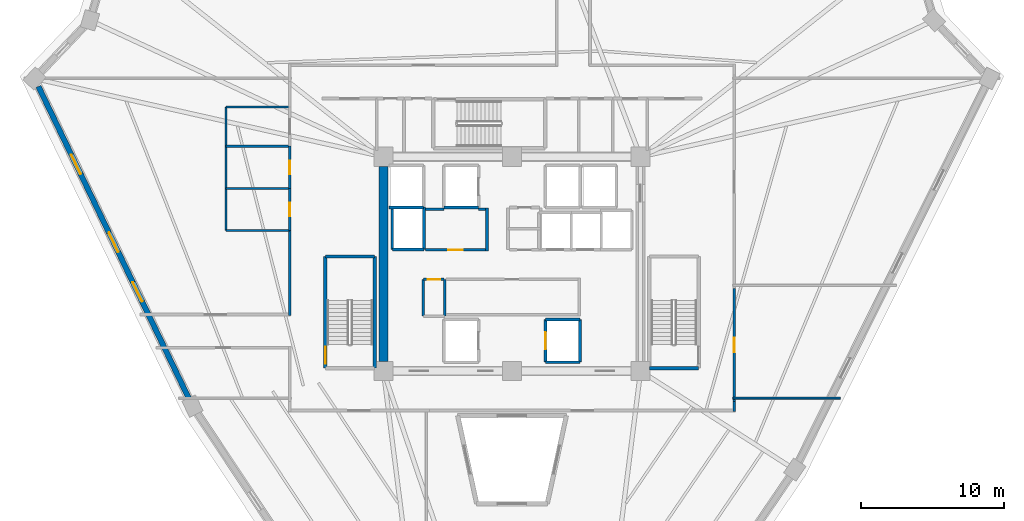
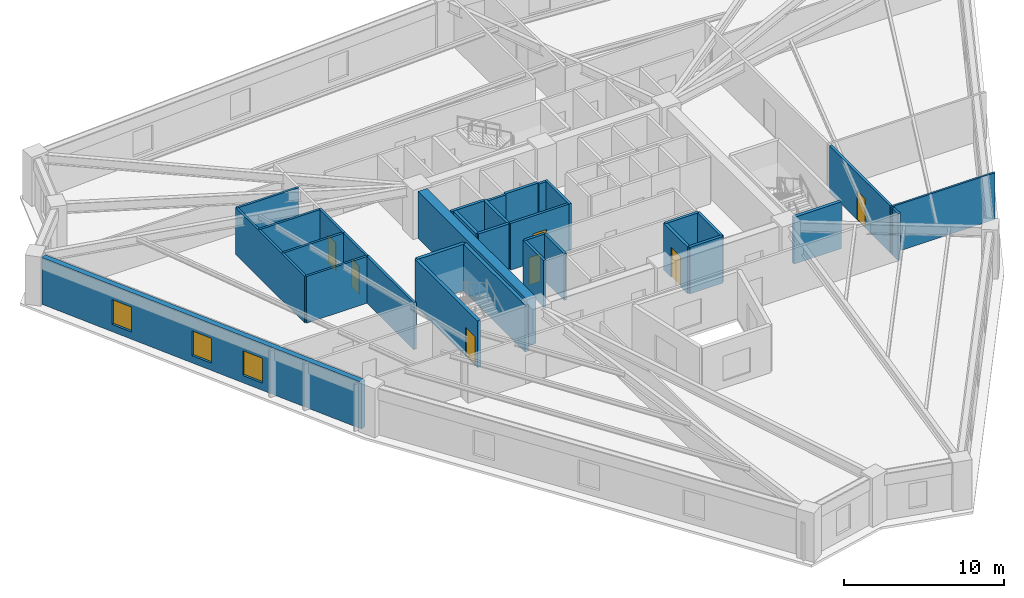
# One storey, part 4 of 8: 33 walls, 7 doors, 3 windows, 10 openings.
"""IFC4 building model written with IfcOpenShell, lengths in metres."""

from ifc_helpers import new_model, si_unit, direction, frame, frame_2d, origin, place, context, subcontext, project, spatial, rectangle, extrude, source, transform, mapped, material, layer, layer_set, type_object, element, fill, save


model = new_model("IFC4")

# Units and contexts
model_context = context("Model", 3, precision=1e-05, world=origin(), true_north=direction((0.0, 1.0)))
body_context = subcontext(model_context, "Body", "Model", "MODEL_VIEW")
ifc_project = project(units=[si_unit("LENGTHUNIT", "METRE"), si_unit("AREAUNIT", "SQUARE_METRE"), si_unit("VOLUMEUNIT", "CUBIC_METRE"), si_unit("PLANEANGLEUNIT", "RADIAN"), si_unit("MASSUNIT", "GRAM", prefix="KILO")], contexts=[model_context])

# Site, building, storey
site_placement = place(None, origin())
site = spatial("IfcSite", under=ifc_project, at=site_placement, CompositionType="ELEMENT")
building_placement = place(site_placement, origin())
building = spatial("IfcBuilding", under=site, at=building_placement, Name="Liaohun Quay Tower", CompositionType="ELEMENT")
storey_placement = place(building_placement, frame((0.0, 0.0, 213.0)))
storey = spatial("IfcBuildingStorey", under=building, at=storey_placement, Name="L55", CompositionType="ELEMENT", Elevation=213.0)

# Wall
ifc_material_1 = material(Name="Concrete C55", Category="concrete")
ifc_layer_1 = layer(ifc_material_1, 0.64990234375, Name="Concrete C55", Category="concrete")
ifc_layer_set_1 = layer_set([ifc_layer_1], Name="Concrete C55")
wall_type_1 = type_object("IfcWallType", Name="WAL-COR-Z3", PredefinedType="SHEAR", material=ifc_layer_set_1)
wall_1_placement = place(storey_placement, frame((51.0, 47.175048828125, 0.0), z_axis=(0.0, 0.0, 1.0), x_axis=(0.0, 1.0, 0.0)))
element("IfcWall", 1, at=wall_1_placement, inside=storey, type_object=wall_type_1, Name="L55 Central Core Shear Wall W", PredefinedType="SHEAR", context=body_context, shape_type="SweptSolid", body=[
    extrude(rectangle(XDim=13.64990234375, YDim=0.64990234375, at=frame_2d((6.824951171875, 0.0))), origin(), (0.0, 0.0, 1.0), 3.570068359375),
])

# Wall, openings, windows
ifc_material_2 = material(Name="Precast concrete C50 insulated sandwich", Category="concrete")
ifc_layer_2 = layer(ifc_material_2, 0.3798828125, Name="Precast concrete C50 insulated sandwich", Category="concrete")
ifc_layer_set_2 = layer_set([ifc_layer_2], Name="Precast concrete C50 insulated sandwich")
wall_type_2 = type_object("IfcWallType", Name="WAL-EXT-Z34", PredefinedType="SOLIDWALL", material=ifc_layer_set_2)
wall_2_placement = place(storey_placement, frame((26.847900390625, 66.426025390625, 0.0), z_axis=(0.0, 0.0, 1.0), x_axis=(0.434351028037, -0.900743684099, 0.0)))
wall_2 = element("IfcWall", 2, at=wall_2_placement, inside=storey, type_object=wall_type_2, Name="L55 Brutalist Precast Pier Wall 10", PredefinedType="SOLIDWALL", context=body_context, shape_type="SweptSolid", body=[
    extrude(rectangle(XDim=24.222412109375, YDim=0.3798828125, at=frame_2d((12.111328125, 0.0))), origin(), (0.0, 0.0, 1.0), 3.570068359375),
])
shared_shape_1 = source(origin(), body_context, "Body", "SweptSolid", [
    extrude(rectangle(XDim=1.5, YDim=1.89990234375, at=frame_2d((0.75, 0.949951171875))), frame((0.0, 0.199951171875, 0.0), z_axis=(0.0, -1.0, 0.0), x_axis=(1.0, 0.0, 0.0)), (0.0, 0.0, 1.0), 0.39990234375),
])
opening_1_placement = place(wall_2_placement, frame((5.305908203125, 0.0, 0.550048828125)))
opening_1 = element("IfcOpeningElement", 3, at=opening_1_placement, cuts=wall_2, Name="Opening W03", PredefinedType="OPENING", context=body_context, shape_type="MappedRepresentation", body=[
    mapped(shared_shape_1, transform((0.0, 0.0, 0.0), x_axis=(1.0, 0.0, 0.0), y_axis=(0.0, 1.0, 0.0), z_axis=(0.0, 0.0, 1.0), scale=1.0)),
])
opening_2_placement = place(wall_2_placement, frame((11.361083984375, 0.0, 0.550048828125)))
opening_2 = element("IfcOpeningElement", 4, at=opening_2_placement, cuts=wall_2, Name="Opening W03", PredefinedType="OPENING", context=body_context, shape_type="MappedRepresentation", body=[
    mapped(shared_shape_1, transform((0.0, 0.0, 0.0), x_axis=(1.0, 0.0, 0.0), y_axis=(0.0, 1.0, 0.0), z_axis=(0.0, 0.0, 1.0), scale=1.0)),
])
opening_3_placement = place(wall_2_placement, frame((15.217041015625, 0.0, 0.550048828125)))
opening_3 = element("IfcOpeningElement", 5, at=opening_3_placement, cuts=wall_2, Name="Opening W03", PredefinedType="OPENING", context=body_context, shape_type="MappedRepresentation", body=[
    mapped(shared_shape_1, transform((0.0, 0.0, 0.0), x_axis=(1.0, 0.0, 0.0), y_axis=(0.0, 1.0, 0.0), z_axis=(0.0, 0.0, 1.0), scale=1.0)),
])
ifc_material_3 = material(Name="Triple Low-E argon glazing in thermally broken aluminium", Category="aluminium")
window_type = type_object("IfcWindowType", Name="WIN-PUN-Z3", PartitioningType="DOUBLE_PANEL_VERTICAL", PredefinedType="WINDOW", material=ifc_material_3)
shared_shape_2 = source(origin(), body_context, "Body", "SweptSolid", [
    extrude(rectangle(XDim=1.5, YDim=1.89990234375, at=frame_2d((0.75, 0.949951171875))), frame((0.0, 0.030029296875, 0.0), z_axis=(0.0, -1.0, 0.0), x_axis=(1.0, 0.0, 0.0)), (0.0, 0.0, 1.0), 0.06005859375),
])
window_1_placement = place(opening_1_placement, origin())
window_1 = element("IfcWindow", 6, at=window_1_placement, inside=storey, type_object=window_type, Name="L55 Recessed Cold-Climate Punched Window 10-1", OverallHeight=1.89990234375, OverallWidth=1.5, PartitioningType="DOUBLE_PANEL_VERTICAL", PredefinedType="WINDOW", context=body_context, shape_type="MappedRepresentation", body=[
    mapped(shared_shape_2, transform((0.0, 0.0, 0.0), x_axis=(1.0, 0.0, 0.0), y_axis=(0.0, 1.0, 0.0), z_axis=(0.0, 0.0, 1.0), scale=1.0)),
])
fill(opening_1, window_1)
window_2_placement = place(opening_2_placement, origin())
window_2 = element("IfcWindow", 7, at=window_2_placement, inside=storey, type_object=window_type, Name="L55 Recessed Cold-Climate Punched Window 10-2", OverallHeight=1.89990234375, OverallWidth=1.5, PartitioningType="DOUBLE_PANEL_VERTICAL", PredefinedType="WINDOW", context=body_context, shape_type="MappedRepresentation", body=[
    mapped(shared_shape_2, transform((0.0, 0.0, 0.0), x_axis=(1.0, 0.0, 0.0), y_axis=(0.0, 1.0, 0.0), z_axis=(0.0, 0.0, 1.0), scale=1.0)),
])
fill(opening_2, window_2)
window_3_placement = place(opening_3_placement, origin())
window_3 = element("IfcWindow", 8, at=window_3_placement, inside=storey, type_object=window_type, Name="L55 Recessed Cold-Climate Punched Window 10-3", OverallHeight=1.89990234375, OverallWidth=1.5, PartitioningType="DOUBLE_PANEL_VERTICAL", PredefinedType="WINDOW", context=body_context, shape_type="MappedRepresentation", body=[
    mapped(shared_shape_2, transform((0.0, 0.0, 0.0), x_axis=(1.0, 0.0, 0.0), y_axis=(0.0, 1.0, 0.0), z_axis=(0.0, 0.0, 1.0), scale=1.0)),
])
fill(opening_3, window_3)

# Wall, opening, door
ifc_material_4 = material(Name="Autoclaved aerated concrete blockwork", Category="masonry")
ifc_layer_3 = layer(ifc_material_4, 0.179931640625, Name="Autoclaved aerated concrete blockwork", Category="masonry")
ifc_layer_set_3 = layer_set([ifc_layer_3], Name="Autoclaved aerated concrete blockwork")
wall_type_3 = type_object("IfcWallType", Name="WAL-PRT-COR", PredefinedType="PARTITIONING", material=ifc_layer_set_3)
wall_3_placement = place(storey_placement, frame((53.949951171875, 54.97998046875, 0.0), z_axis=(0.0, 0.0, 1.0), x_axis=(1.0, 0.0, 0.0)))
wall_3 = element("IfcWall", 9, at=wall_3_placement, inside=storey, type_object=wall_type_3, Name="L55 Interior Partition Wall 002", PredefinedType="PARTITIONING", context=body_context, shape_type="SweptSolid", body=[
    extrude(rectangle(XDim=4.2099609375, YDim=0.179931640625, at=frame_2d((2.10498046875, 0.0))), origin(), (0.0, 0.0, 1.0), 3.570068359375),
])
shared_shape_3 = source(origin(), body_context, "Body", "SweptSolid", [
    extrude(rectangle(XDim=1.0, YDim=2.199951171875, at=frame_2d((0.5, 1.10009765625))), frame((0.0, 0.099853515625, 0.0), z_axis=(0.0, -1.0, 0.0), x_axis=(1.0, 0.0, 0.0)), (0.0, 0.0, 1.0), 0.199951171875),
])
opening_4_placement = place(wall_3_placement, frame((1.60009765625, 0.0, 0.0)))
opening_4 = element("IfcOpeningElement", 10, at=opening_4_placement, cuts=wall_3, Name="Opening OD1", PredefinedType="OPENING", context=body_context, shape_type="MappedRepresentation", body=[
    mapped(shared_shape_3, transform((0.0, 0.0, 0.0), x_axis=(1.0, 0.0, 0.0), y_axis=(0.0, 1.0, 0.0), z_axis=(0.0, 0.0, 1.0), scale=1.0)),
])
ifc_material_5 = material(Name="Solid-core oak veneer timber leaf in steel frame", Category="steel")
door_type_1 = type_object("IfcDoorType", Name="DOR-OFF-1000", OperationType="NOTDEFINED", PredefinedType="DOOR", material=ifc_material_5)
shared_shape_4 = source(origin(), body_context, "Body", "SweptSolid", [
    extrude(rectangle(XDim=1.0, YDim=2.199951171875, at=frame_2d((0.5, 1.10009765625))), frame((0.0, 0.02490234375, 0.0), z_axis=(0.0, -1.0, 0.0), x_axis=(1.0, 0.0, 0.0)), (0.0, 0.0, 1.0), 0.050048828125),
])
door_1_placement = place(opening_4_placement, origin())
door_1 = element("IfcDoor", 11, at=door_1_placement, inside=storey, type_object=door_type_1, Name="L55 Core Staff Pantry and Tea Room Door", OperationType="SINGLE_SWING_LEFT", OverallHeight=2.199951171875, OverallWidth=1.0, PredefinedType="DOOR", context=body_context, shape_type="MappedRepresentation", body=[
    mapped(shared_shape_4, transform((0.0, 0.0, 0.0), x_axis=(1.0, 0.0, 0.0), y_axis=(0.0, 1.0, 0.0), z_axis=(0.0, 0.0, 1.0), scale=1.0)),
])
fill(opening_4, door_1)

wall_4_placement = place(storey_placement, frame((53.820068359375, 52.919921875, 0.0), z_axis=(0.0, 0.0, 1.0), x_axis=(1.0, 0.0, 0.0)))
wall_4 = element("IfcWall", 12, at=wall_4_placement, inside=storey, type_object=wall_type_3, Name="L55 Interior Partition Wall 005", PredefinedType="PARTITIONING", context=body_context, shape_type="SweptSolid", body=[
    extrude(rectangle(XDim=1.429931640625, YDim=0.179931640625, at=frame_2d((0.71484375, 0.0))), origin(), (0.0, 0.0, 1.0), 3.570068359375),
])
shared_shape_5 = source(origin(), body_context, "Body", "SweptSolid", [
    extrude(rectangle(XDim=0.85009765625, YDim=2.10009765625, at=frame_2d((0.425048828125, 1.050048828125))), frame((0.0, 0.099853515625, 0.0), z_axis=(0.0, -1.0, 0.0), x_axis=(1.0, 0.0, 0.0)), (0.0, 0.0, 1.0), 0.199951171875),
])
opening_5_placement = place(wall_4_placement, frame((0.2900390625, 0.0, 0.0)))
opening_5 = element("IfcOpeningElement", 13, at=opening_5_placement, cuts=wall_4, Name="Opening AD1", PredefinedType="OPENING", context=body_context, shape_type="MappedRepresentation", body=[
    mapped(shared_shape_5, transform((0.0, 0.0, 0.0), x_axis=(1.0, 0.0, 0.0), y_axis=(0.0, 1.0, 0.0), z_axis=(0.0, 0.0, 1.0), scale=1.0)),
])
ifc_material_6 = material(Name="Steel riser inspection fire door", Category="steel")
door_type_2 = type_object("IfcDoorType", Name="DOR-SHF-850", OperationType="NOTDEFINED", PredefinedType="DOOR", material=ifc_material_6)
shared_shape_6 = source(origin(), body_context, "Body", "SweptSolid", [
    extrude(rectangle(XDim=0.85009765625, YDim=2.10009765625, at=frame_2d((0.425048828125, 1.050048828125))), frame((0.0, 0.02490234375, 0.0), z_axis=(0.0, -1.0, 0.0), x_axis=(1.0, 0.0, 0.0)), (0.0, 0.0, 1.0), 0.050048828125),
])
door_2_placement = place(opening_5_placement, origin())
door_2 = element("IfcDoor", 14, at=door_2_placement, inside=storey, type_object=door_type_2, Name="L55 Core Fire Hose and Riser Closet Door", OperationType="SINGLE_SWING_RIGHT", OverallHeight=2.10009765625, OverallWidth=0.85009765625, PredefinedType="DOOR", context=body_context, shape_type="MappedRepresentation", body=[
    mapped(shared_shape_6, transform((0.0, 0.0, 0.0), x_axis=(1.0, 0.0, 0.0), y_axis=(0.0, 1.0, 0.0), z_axis=(0.0, 0.0, 1.0), scale=1.0)),
])
fill(opening_5, door_2)

wall_5_placement = place(storey_placement, frame((75.56005859375, 52.284912109375, 0.0), z_axis=(0.0, 0.0, 1.0), x_axis=(0.0, -1.0, 0.0)))
wall_5 = element("IfcWall", 15, at=wall_5_placement, inside=storey, type_object=wall_type_3, Name="L55 Interior Partition Wall 023", PredefinedType="PARTITIONING", context=body_context, shape_type="SweptSolid", body=[
    extrude(rectangle(XDim=7.89990234375, YDim=0.179931640625, at=frame_2d((3.949951171875, 0.0))), origin(), (0.0, 0.0, 1.0), 3.570068359375),
])
opening_6_placement = place(wall_5_placement, frame((3.449951171875, 0.0, 0.0)))
opening_6 = element("IfcOpeningElement", 16, at=opening_6_placement, cuts=wall_5, Name="Opening OD1", PredefinedType="OPENING", context=body_context, shape_type="MappedRepresentation", body=[
    mapped(shared_shape_3, transform((0.0, 0.0, 0.0), x_axis=(1.0, 0.0, 0.0), y_axis=(0.0, 1.0, 0.0), z_axis=(0.0, 0.0, 1.0), scale=1.0)),
])
door_3_placement = place(opening_6_placement, origin())
door_3 = element("IfcDoor", 17, at=door_3_placement, inside=storey, type_object=door_type_1, Name="L55 Client Collaboration Lounge 08 Door", OperationType="SINGLE_SWING_RIGHT", OverallHeight=2.199951171875, OverallWidth=1.0, PredefinedType="DOOR", context=body_context, shape_type="MappedRepresentation", body=[
    mapped(shared_shape_4, transform((0.0, 0.0, 0.0), x_axis=(1.0, 0.0, 0.0), y_axis=(0.0, 1.0, 0.0), z_axis=(0.0, 0.0, 1.0), scale=1.0)),
])
fill(opening_6, door_3)

# Walls
for number, where, z_axis, x_axis, name in (
    (18, (53.7900390625, 50.35009765625, 0.0), (0.0, 0.0, 1.0), (0.0, 1.0, 0.0), "L55 Interior Partition Wall 027"),
    (19, (55.280029296875, 50.35009765625, 0.0), (0.0, 0.0, 1.0), (0.0, 1.0, 0.0), "L55 Interior Partition Wall 029"),
):
    element("IfcWall", number, at=place(storey_placement, frame(where, z_axis=z_axis, x_axis=x_axis)), inside=storey, type_object=wall_type_3, Name=name, PredefinedType="PARTITIONING", context=body_context, shape_type="SweptSolid", body=[
        extrude(rectangle(XDim=2.56982421875, YDim=0.179931640625, at=frame_2d((1.284912109375, 0.0))), origin(), (0.0, 0.0, 1.0), 3.570068359375),
    ])
wall_6_placement = place(storey_placement, frame((44.43994140625, 50.389892578125, 0.0), z_axis=(0.0, 0.0, 1.0), x_axis=(0.0, 1.0, 0.0)))
element("IfcWall", 20, at=wall_6_placement, inside=storey, type_object=wall_type_3, Name="L55 Interior Partition Wall 044", PredefinedType="PARTITIONING", context=body_context, shape_type="SweptSolid", body=[
    extrude(rectangle(XDim=5.9501953125, YDim=0.179931640625, at=frame_2d((2.97509765625, 0.0))), origin(), (0.0, 0.0, 1.0), 3.570068359375),
])
wall_7_placement = place(storey_placement, frame((75.56005859375, 44.385009765625, 0.0), z_axis=(0.0, 0.0, 1.0), x_axis=(0.0, -1.0, 0.0)))
element("IfcWall", 21, at=wall_7_placement, inside=storey, type_object=wall_type_3, Name="L55 Interior Partition Wall 048", PredefinedType="PARTITIONING", context=body_context, shape_type="SweptSolid", body=[
    extrude(rectangle(XDim=0.715087890625, YDim=0.179931640625, at=frame_2d((0.357421875, 0.0))), origin(), (0.0, 0.0, 1.0), 3.570068359375),
])
wall_8_placement = place(storey_placement, frame((58.25, 54.889892578125, 0.0), z_axis=(0.0, 0.0, 1.0), x_axis=(0.0, 1.0, 0.0)))
element("IfcWall", 22, at=wall_8_placement, inside=storey, type_object=wall_type_3, Name="L55 Interior Partition Wall 057", PredefinedType="PARTITIONING", context=body_context, shape_type="SweptSolid", body=[
    extrude(rectangle(XDim=3.02001953125, YDim=0.179931640625, at=frame_2d((1.510009765625, 0.0))), origin(), (0.0, 0.0, 1.0), 3.570068359375),
])
wall_9_placement = place(storey_placement, frame((53.949951171875, 57.820068359375, 0.0), z_axis=(0.0, 0.0, 1.0), x_axis=(1.0, 0.0, 0.0)))
element("IfcWall", 23, at=wall_9_placement, inside=storey, type_object=wall_type_3, Name="L55 Interior Partition Wall 058", PredefinedType="PARTITIONING", context=body_context, shape_type="SweptSolid", body=[
    extrude(rectangle(XDim=1.300048828125, YDim=0.179931640625, at=frame_2d((0.64990234375, 0.0))), origin(), (0.0, 0.0, 1.0), 3.570068359375),
])
wall_10_placement = place(storey_placement, frame((57.64990234375, 57.820068359375, 0.0), z_axis=(0.0, 0.0, 1.0), x_axis=(1.0, 0.0, 0.0)))
element("IfcWall", 24, at=wall_10_placement, inside=storey, type_object=wall_type_3, Name="L55 Interior Partition Wall 059", PredefinedType="PARTITIONING", context=body_context, shape_type="SweptSolid", body=[
    extrude(rectangle(XDim=0.510009765625, YDim=0.179931640625, at=frame_2d((0.2548828125, 0.0))), origin(), (0.0, 0.0, 1.0), 3.570068359375),
])
ifc_material_7 = material(Name="Gypsum board on twin steel studs", Category="steel")
ifc_layer_4 = layer(ifc_material_7, 0.139892578125, Name="Gypsum board on twin steel studs", Category="steel")
ifc_layer_set_4 = layer_set([ifc_layer_4], Name="Gypsum board on twin steel studs")
wall_type_4 = type_object("IfcWallType", Name="WAL-PRT-OFF", PredefinedType="PARTITIONING", material=ifc_layer_set_4)
wall_11_placement = place(storey_placement, frame((75.4599609375, 44.60009765625, 0.0), z_axis=(0.0, 0.0, 1.0), x_axis=(1.0, 0.0, 0.0)))
element("IfcWall", 25, at=wall_11_placement, inside=storey, type_object=wall_type_4, Name="L55 Interior Partition Wall 051", PredefinedType="PARTITIONING", context=body_context, shape_type="SweptSolid", body=[
    extrude(rectangle(XDim=7.52294921875, YDim=0.139892578125, at=frame_2d((3.761474609375, 0.0))), origin(), (0.0, 0.0, 1.0), 3.570068359375),
])

# Wall, opening, door
ifc_material_8 = material(Name="Moisture-resistant masonry blockwork", Category="masonry")
ifc_layer_5 = layer(ifc_material_8, 0.159912109375, Name="Moisture-resistant masonry blockwork", Category="masonry")
ifc_layer_set_5 = layer_set([ifc_layer_5], Name="Moisture-resistant masonry blockwork")
wall_type_5 = type_object("IfcWallType", Name="WAL-PRT-WET", PredefinedType="PARTITIONING", material=ifc_layer_set_5)
wall_12_placement = place(storey_placement, frame((44.43994140625, 56.340087890625, 0.0), z_axis=(0.0, 0.0, 1.0), x_axis=(0.0, 1.0, 0.0)))
wall_12 = element("IfcWall", 26, at=wall_12_placement, inside=storey, type_object=wall_type_5, Name="L55 Interior Partition Wall 006", PredefinedType="PARTITIONING", context=body_context, shape_type="SweptSolid", body=[
    extrude(rectangle(XDim=2.93994140625, YDim=0.159912109375, at=frame_2d((1.469970703125, 0.0))), origin(), (0.0, 0.0, 1.0), 3.570068359375),
])
shared_shape_7 = source(origin(), body_context, "Body", "SweptSolid", [
    extrude(rectangle(XDim=0.949951171875, YDim=2.14990234375, at=frame_2d((0.47509765625, 1.074951171875))), frame((0.0, 0.08984375, 0.0), z_axis=(0.0, -1.0, 0.0), x_axis=(1.0, 0.0, 0.0)), (0.0, 0.0, 1.0), 0.179931640625),
])
opening_7_placement = place(wall_12_placement, frame((0.9951171875, 0.0, 0.0)))
opening_7 = element("IfcOpeningElement", 27, at=opening_7_placement, cuts=wall_12, Name="Opening WD1", PredefinedType="OPENING", context=body_context, shape_type="MappedRepresentation", body=[
    mapped(shared_shape_7, transform((0.0, 0.0, 0.0), x_axis=(1.0, 0.0, 0.0), y_axis=(0.0, 1.0, 0.0), z_axis=(0.0, 0.0, 1.0), scale=1.0)),
])
ifc_material_9 = material(Name="Moisture-resistant laminate timber leaf", Category="wood")
door_type_3 = type_object("IfcDoorType", Name="DOR-WC-950", OperationType="NOTDEFINED", PredefinedType="DOOR", material=ifc_material_9)
shared_shape_8 = source(origin(), body_context, "Body", "SweptSolid", [
    extrude(rectangle(XDim=0.949951171875, YDim=2.14990234375, at=frame_2d((0.47509765625, 1.074951171875))), frame((0.0, 0.02490234375, 0.0), z_axis=(0.0, -1.0, 0.0), x_axis=(1.0, 0.0, 0.0)), (0.0, 0.0, 1.0), 0.050048828125),
])
door_4_placement = place(opening_7_placement, origin())
door_4 = element("IfcDoor", 28, at=door_4_placement, inside=storey, type_object=door_type_3, Name="L55 Male Restroom WC Door", OperationType="SINGLE_SWING_LEFT", OverallHeight=2.14990234375, OverallWidth=0.949951171875, PredefinedType="DOOR", context=body_context, shape_type="MappedRepresentation", body=[
    mapped(shared_shape_8, transform((0.0, 0.0, 0.0), x_axis=(1.0, 0.0, 0.0), y_axis=(0.0, 1.0, 0.0), z_axis=(0.0, 0.0, 1.0), scale=1.0)),
])
fill(opening_7, door_4)

wall_13_placement = place(storey_placement, frame((44.43994140625, 59.280029296875, 0.0), z_axis=(0.0, 0.0, 1.0), x_axis=(0.0, 1.0, 0.0)))
wall_13 = element("IfcWall", 29, at=wall_13_placement, inside=storey, type_object=wall_type_5, Name="L55 Interior Partition Wall 007", PredefinedType="PARTITIONING", context=body_context, shape_type="SweptSolid", body=[
    extrude(rectangle(XDim=2.9599609375, YDim=0.159912109375, at=frame_2d((1.47998046875, 0.0))), origin(), (0.0, 0.0, 1.0), 3.570068359375),
])
opening_8_placement = place(wall_13_placement, frame((1.0048828125, 0.0, 0.0)))
opening_8 = element("IfcOpeningElement", 30, at=opening_8_placement, cuts=wall_13, Name="Opening WD1", PredefinedType="OPENING", context=body_context, shape_type="MappedRepresentation", body=[
    mapped(shared_shape_7, transform((0.0, 0.0, 0.0), x_axis=(1.0, 0.0, 0.0), y_axis=(0.0, 1.0, 0.0), z_axis=(0.0, 0.0, 1.0), scale=1.0)),
])
door_5_placement = place(opening_8_placement, origin())
door_5 = element("IfcDoor", 31, at=door_5_placement, inside=storey, type_object=door_type_3, Name="L55 Female Restroom WC Door", OperationType="SINGLE_SWING_RIGHT", OverallHeight=2.14990234375, OverallWidth=0.949951171875, PredefinedType="DOOR", context=body_context, shape_type="MappedRepresentation", body=[
    mapped(shared_shape_8, transform((0.0, 0.0, 0.0), x_axis=(1.0, 0.0, 0.0), y_axis=(0.0, 1.0, 0.0), z_axis=(0.0, 0.0, 1.0), scale=1.0)),
])
fill(opening_8, door_5)

# Walls
wall_14_placement = place(storey_placement, frame((39.97998046875, 56.340087890625, 0.0), z_axis=(0.0, 0.0, 1.0), x_axis=(0.0, 1.0, 0.0)))
element("IfcWall", 32, at=wall_14_placement, inside=storey, type_object=wall_type_5, Name="L55 Interior Partition Wall 030", PredefinedType="PARTITIONING", context=body_context, shape_type="SweptSolid", body=[
    extrude(rectangle(XDim=8.639892578125, YDim=0.159912109375, at=frame_2d((4.31982421875, 0.0))), origin(), (0.0, 0.0, 1.0), 3.570068359375),
])
for number, where, z_axis, x_axis, name in (
    (33, (39.97998046875, 56.340087890625, 0.0), (0.0, 0.0, 1.0), (1.0, 0.0, 0.0), "L55 Interior Partition Wall 031"),
    (34, (39.97998046875, 59.280029296875, 0.0), (0.0, 0.0, 1.0), (1.0, 0.0, 0.0), "L55 Interior Partition Wall 032"),
    (35, (39.97998046875, 62.239990234375, 0.0), (0.0, 0.0, 1.0), (1.0, 0.0, 0.0), "L55 Interior Partition Wall 033"),
    (36, (39.97998046875, 64.97998046875, 0.0), (0.0, 0.0, 1.0), (1.0, 0.0, 0.0), "L55 Interior Partition Wall 034"),
):
    element("IfcWall", number, at=place(storey_placement, frame(where, z_axis=z_axis, x_axis=x_axis)), inside=storey, type_object=wall_type_5, Name=name, PredefinedType="PARTITIONING", context=body_context, shape_type="SweptSolid", body=[
        extrude(rectangle(XDim=4.4599609375, YDim=0.159912109375, at=frame_2d((2.22998046875, 0.0))), origin(), (0.0, 0.0, 1.0), 3.570068359375),
    ])
ifc_material_10 = material(Name="Concrete C50", Category="concrete")
ifc_layer_6 = layer(ifc_material_10, 0.239990234375, Name="Concrete C50", Category="concrete")
ifc_layer_set_6 = layer_set([ifc_layer_6], Name="Concrete C50")
wall_type_6 = type_object("IfcWallType", Name="WAL-SHF-200", PredefinedType="SOLIDWALL", material=ifc_layer_set_6)
wall_15_placement = place(storey_placement, frame((50.3798828125, 46.699951171875, 0.0), z_axis=(0.0, 0.0, 1.0), x_axis=(0.0, 1.0, 0.0)))
element("IfcWall", 37, at=wall_15_placement, inside=storey, type_object=wall_type_6, Name="L55 Stairwell ST-1 Structural Core Wall E", PredefinedType="SOLIDWALL", context=body_context, shape_type="SweptSolid", body=[
    extrude(rectangle(XDim=7.820068359375, YDim=0.239990234375, at=frame_2d((3.91015625, 0.0))), origin(), (0.0, 0.0, 1.0), 3.570068359375),
])
wall_16_placement = place(storey_placement, frame((50.3798828125, 54.52001953125, 0.0), z_axis=(0.0, 0.0, 1.0), x_axis=(-1.0, 0.0, 0.0)))
element("IfcWall", 38, at=wall_16_placement, inside=storey, type_object=wall_type_6, Name="L55 Stairwell ST-1 Structural Core Wall N", PredefinedType="SOLIDWALL", context=body_context, shape_type="SweptSolid", body=[
    extrude(rectangle(XDim=3.43994140625, YDim=0.239990234375, at=frame_2d((1.719970703125, 0.0))), origin(), (0.0, 0.0, 1.0), 3.570068359375),
])

# Wall, opening, door
wall_17_placement = place(storey_placement, frame((46.93994140625, 54.52001953125, 0.0), z_axis=(0.0, 0.0, 1.0), x_axis=(0.0, -1.0, 0.0)))
wall_17 = element("IfcWall", 39, at=wall_17_placement, inside=storey, type_object=wall_type_6, Name="L55 Stairwell ST-1 Structural Core Wall W", PredefinedType="SOLIDWALL", context=body_context, shape_type="SweptSolid", body=[
    extrude(rectangle(XDim=7.820068359375, YDim=0.239990234375, at=frame_2d((3.91015625, 0.0))), origin(), (0.0, 0.0, 1.0), 3.570068359375),
])
shared_shape_9 = source(origin(), body_context, "Body", "SweptSolid", [
    extrude(rectangle(XDim=1.199951171875, YDim=2.199951171875, at=frame_2d((0.60009765625, 1.10009765625))), frame((0.0, 0.1298828125, 0.0), z_axis=(0.0, -1.0, 0.0), x_axis=(1.0, 0.0, 0.0)), (0.0, 0.0, 1.0), 0.260009765625),
])
opening_9_placement = place(wall_17_placement, frame((6.300048828125, 0.0, 0.0)))
opening_9 = element("IfcOpeningElement", 40, at=opening_9_placement, cuts=wall_17, Name="Opening SD1", PredefinedType="OPENING", context=body_context, shape_type="MappedRepresentation", body=[
    mapped(shared_shape_9, transform((0.0, 0.0, 0.0), x_axis=(1.0, 0.0, 0.0), y_axis=(0.0, 1.0, 0.0), z_axis=(0.0, 0.0, 1.0), scale=1.0)),
])
ifc_material_11 = material(Name="Galvanised steel fire door", Category="steel")
door_type_4 = type_object("IfcDoorType", Name="DOR-STR-1200", OperationType="NOTDEFINED", PredefinedType="DOOR", material=ifc_material_11)
shared_shape_10 = source(origin(), body_context, "Body", "SweptSolid", [
    extrude(rectangle(XDim=1.199951171875, YDim=2.199951171875, at=frame_2d((0.60009765625, 1.10009765625))), frame((0.0, 0.02490234375, 0.0), z_axis=(0.0, -1.0, 0.0), x_axis=(1.0, 0.0, 0.0)), (0.0, 0.0, 1.0), 0.050048828125),
])
door_6_placement = place(opening_9_placement, origin())
door_6 = element("IfcDoor", 41, at=door_6_placement, inside=storey, type_object=door_type_4, Name="L55 Protected Stair ST-1 Fire Door", OperationType="SINGLE_SWING_LEFT", OverallHeight=2.199951171875, OverallWidth=1.199951171875, PredefinedType="DOOR", context=body_context, shape_type="MappedRepresentation", body=[
    mapped(shared_shape_10, transform((0.0, 0.0, 0.0), x_axis=(1.0, 0.0, 0.0), y_axis=(0.0, 1.0, 0.0), z_axis=(0.0, 0.0, 1.0), scale=1.0)),
])
fill(opening_9, door_6)

# Walls
wall_18_placement = place(storey_placement, frame((69.6201171875, 46.699951171875, 0.0), z_axis=(0.0, 0.0, 1.0), x_axis=(1.0, 0.0, 0.0)))
element("IfcWall", 42, at=wall_18_placement, inside=storey, type_object=wall_type_6, Name="L55 Stairwell ST-2 Structural Core Wall S", PredefinedType="SOLIDWALL", context=body_context, shape_type="SweptSolid", body=[
    extrude(rectangle(XDim=3.43994140625, YDim=0.239990234375, at=frame_2d((1.719970703125, 0.0))), origin(), (0.0, 0.0, 1.0), 3.570068359375),
])
wall_19_placement = place(storey_placement, frame((62.35009765625, 47.1201171875, 0.0), z_axis=(0.0, 0.0, 1.0), x_axis=(1.0, 0.0, 0.0)))
element("IfcWall", 43, at=wall_19_placement, inside=storey, type_object=wall_type_6, Name="L55 Lift FF-02 Hoistway Wall S", PredefinedType="SOLIDWALL", context=body_context, shape_type="SweptSolid", body=[
    extrude(rectangle(XDim=2.39990234375, YDim=0.199951171875, at=frame_2d((1.199951171875, 0.0))), origin(), (0.0, 0.0, 1.0), 3.570068359375),
])
wall_20_placement = place(storey_placement, frame((64.75, 47.1201171875, 0.0), z_axis=(0.0, 0.0, 1.0), x_axis=(0.0, 1.0, 0.0)))
element("IfcWall", 44, at=wall_20_placement, inside=storey, type_object=wall_type_6, Name="L55 Lift FF-02 Hoistway Wall E", PredefinedType="SOLIDWALL", context=body_context, shape_type="SweptSolid", body=[
    extrude(rectangle(XDim=3.0, YDim=0.199951171875, at=frame_2d((1.5, 0.0))), origin(), (0.0, 0.0, 1.0), 3.570068359375),
])
wall_21_placement = place(storey_placement, frame((64.75, 50.1201171875, 0.0), z_axis=(0.0, 0.0, 1.0), x_axis=(-1.0, 0.0, 0.0)))
element("IfcWall", 45, at=wall_21_placement, inside=storey, type_object=wall_type_6, Name="L55 Lift FF-02 Hoistway Wall N", PredefinedType="SOLIDWALL", context=body_context, shape_type="SweptSolid", body=[
    extrude(rectangle(XDim=2.39990234375, YDim=0.199951171875, at=frame_2d((1.199951171875, 0.0))), origin(), (0.0, 0.0, 1.0), 3.570068359375),
])

# Wall, opening, door
wall_22_placement = place(storey_placement, frame((62.35009765625, 50.1201171875, 0.0), z_axis=(0.0, 0.0, 1.0), x_axis=(0.0, -1.0, 0.0)))
wall_22 = element("IfcWall", 46, at=wall_22_placement, inside=storey, type_object=wall_type_6, Name="L55 Lift FF-02 Hoistway Wall W", PredefinedType="SOLIDWALL", context=body_context, shape_type="SweptSolid", body=[
    extrude(rectangle(XDim=3.0, YDim=0.199951171875, at=frame_2d((1.5, 0.0))), origin(), (0.0, 0.0, 1.0), 3.570068359375),
])
shared_shape_11 = source(origin(), body_context, "Body", "SweptSolid", [
    extrude(rectangle(XDim=1.199951171875, YDim=2.300048828125, at=frame_2d((0.60009765625, 1.14990234375))), frame((0.0, 0.10986328125, 0.0), z_axis=(0.0, -1.0, 0.0), x_axis=(1.0, 0.0, 0.0)), (0.0, 0.0, 1.0), 0.219970703125),
])
opening_10_placement = place(wall_22_placement, frame((0.89990234375, 0.0, 0.0)))
opening_10 = element("IfcOpeningElement", 47, at=opening_10_placement, cuts=wall_22, Name="Opening LD2", PredefinedType="OPENING", context=body_context, shape_type="MappedRepresentation", body=[
    mapped(shared_shape_11, transform((0.0, 0.0, 0.0), x_axis=(1.0, 0.0, 0.0), y_axis=(0.0, 1.0, 0.0), z_axis=(0.0, 0.0, 1.0), scale=1.0)),
])
ifc_material_12 = material(Name="Brushed stainless steel stretcher landing door", Category="steel")
door_type_5 = type_object("IfcDoorType", Name="DOR-LFT-1200", OperationType="SLIDING_TO_LEFT", PredefinedType="DOOR", material=ifc_material_12)
shared_shape_12 = source(origin(), body_context, "Body", "SweptSolid", [
    extrude(rectangle(XDim=1.199951171875, YDim=2.300048828125, at=frame_2d((0.60009765625, 1.14990234375))), frame((0.0, 0.02490234375, 0.0), z_axis=(0.0, -1.0, 0.0), x_axis=(1.0, 0.0, 0.0)), (0.0, 0.0, 1.0), 0.050048828125),
])
door_7_placement = place(opening_10_placement, origin())
door_7 = element("IfcDoor", 48, at=door_7_placement, inside=storey, type_object=door_type_5, Name="L55 Lift FF-02 Sliding Landing Door", OperationType="SLIDING_TO_LEFT", OverallHeight=2.300048828125, OverallWidth=1.199951171875, PredefinedType="DOOR", context=body_context, shape_type="MappedRepresentation", body=[
    mapped(shared_shape_12, transform((0.0, 0.0, 0.0), x_axis=(1.0, 0.0, 0.0), y_axis=(0.0, 1.0, 0.0), z_axis=(0.0, 0.0, 1.0), scale=1.0)),
])
fill(opening_10, door_7)

# Walls
wall_23_placement = place(storey_placement, frame((55.25, 57.949951171875, 0.0), z_axis=(0.0, 0.0, 1.0), x_axis=(1.0, 0.0, 0.0)))
element("IfcWall", 49, at=wall_23_placement, inside=storey, type_object=wall_type_6, Name="L55 Lift FF-03 Hoistway Wall S", PredefinedType="SOLIDWALL", context=body_context, shape_type="SweptSolid", body=[
    extrude(rectangle(XDim=2.39990234375, YDim=0.199951171875, at=frame_2d((1.199951171875, 0.0))), origin(), (0.0, 0.0, 1.0), 3.570068359375),
])
wall_24_placement = place(storey_placement, frame((51.39990234375, 57.949951171875, 0.0), z_axis=(0.0, 0.0, 1.0), x_axis=(1.0, 0.0, 0.0)))
element("IfcWall", 50, at=wall_24_placement, inside=storey, type_object=wall_type_6, Name="L55 Lift SH-01 Hoistway Wall S", PredefinedType="SOLIDWALL", context=body_context, shape_type="SweptSolid", body=[
    extrude(rectangle(XDim=2.400146484375, YDim=0.199951171875, at=frame_2d((1.2001953125, 0.0))), origin(), (0.0, 0.0, 1.0), 3.570068359375),
])
wall_25_placement = place(storey_placement, frame((51.6201171875, 55.0, 0.0), z_axis=(0.0, 0.0, 1.0), x_axis=(1.0, 0.0, 0.0)))
element("IfcWall", 51, at=wall_25_placement, inside=storey, type_object=wall_type_6, Name="L55 Lift SH-02 Hoistway Wall S", PredefinedType="SOLIDWALL", context=body_context, shape_type="SweptSolid", body=[
    extrude(rectangle(XDim=2.22998046875, YDim=0.199951171875, at=frame_2d((1.114990234375, 0.0))), origin(), (0.0, 0.0, 1.0), 3.570068359375),
])
for number, where, z_axis, x_axis, name in (
    (52, (53.85009765625, 55.0, 0.0), (0.0, 0.0, 1.0), (0.0, 1.0, 0.0), "L55 Lift SH-02 Hoistway Wall E"),
    (53, (51.6201171875, 58.0, 0.0), (0.0, 0.0, 1.0), (0.0, -1.0, 0.0), "L55 Lift SH-02 Hoistway Wall W"),
):
    element("IfcWall", number, at=place(storey_placement, frame(where, z_axis=z_axis, x_axis=x_axis)), inside=storey, type_object=wall_type_6, Name=name, PredefinedType="SOLIDWALL", context=body_context, shape_type="SweptSolid", body=[
        extrude(rectangle(XDim=3.0, YDim=0.199951171875, at=frame_2d((1.5, 0.0))), origin(), (0.0, 0.0, 1.0), 3.570068359375),
    ])

save(model, "model.ifc")
